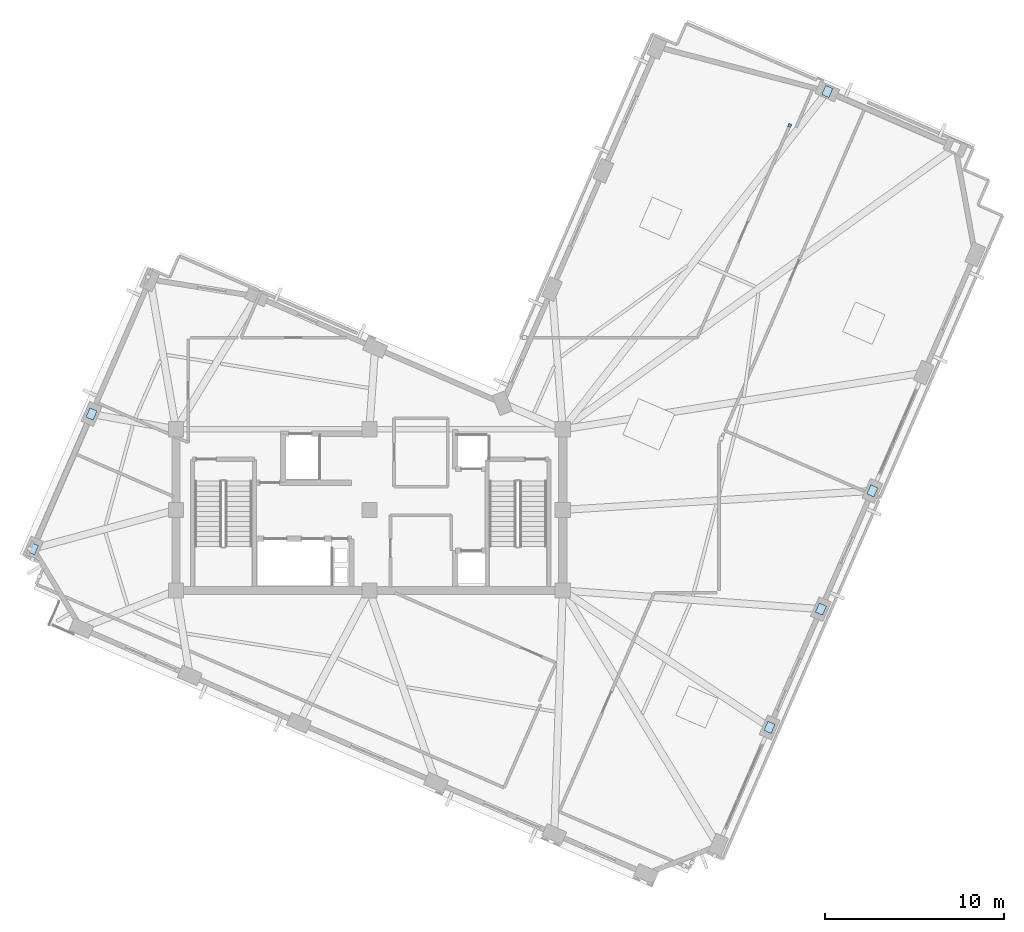
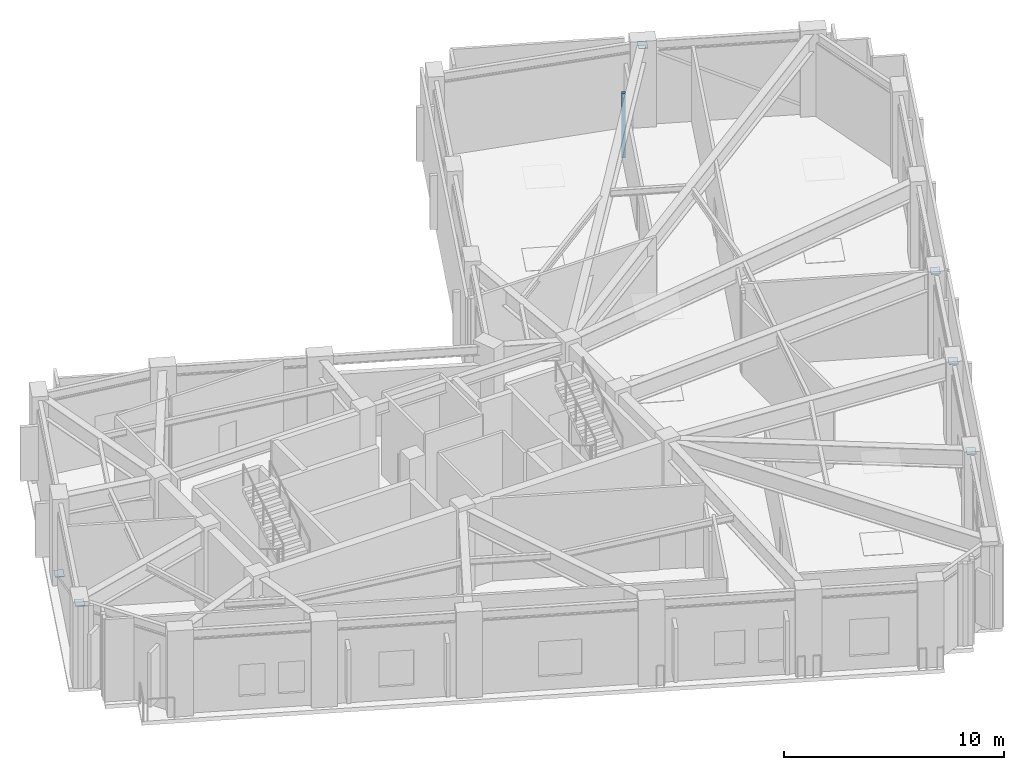
# One storey, part 4 of 11: 7 plates.
"""IFC4 building model written with IfcOpenShell, lengths in metres."""

from ifc_helpers import new_model, si_unit, direction, frame, origin, origin_2d, place, context, subcontext, project, spatial, rectangle, extrude, material, layer, layer_set, type_object, element, save


model = new_model("IFC4")

# Units and contexts
model_context = context("Model", 3, precision=1e-05, world=origin(), true_north=direction((0.0, 1.0)))
body_context = subcontext(model_context, "Body", "Model", "MODEL_VIEW")
ifc_project = project(units=[si_unit("LENGTHUNIT", "METRE"), si_unit("AREAUNIT", "SQUARE_METRE"), si_unit("VOLUMEUNIT", "CUBIC_METRE"), si_unit("PLANEANGLEUNIT", "RADIAN"), si_unit("MASSUNIT", "GRAM", prefix="KILO")], contexts=[model_context])

# Site, building, storey
site_placement = place(None, origin())
site = spatial("IfcSite", under=ifc_project, at=site_placement, CompositionType="ELEMENT")
building_placement = place(site_placement, origin())
building = spatial("IfcBuilding", under=site, at=building_placement, Name="Gaonmaruhae Medical Tower", CompositionType="ELEMENT")
storey_placement = place(building_placement, frame((0.0, 0.0, 328.60009765625)))
storey = spatial("IfcBuildingStorey", under=building, at=storey_placement, Name="L79", CompositionType="ELEMENT", Elevation=328.60009765625)

# Plates
ifc_material_1 = material(Name="Steel HSA650 (650 MPa)", Category="steel")
ifc_layer_1 = layer(ifc_material_1, 0.028076171875)
ifc_layer_set_1 = layer_set([ifc_layer_1], Name="Steel HSA650 (650 MPa)")
plate_type_1 = type_object("IfcPlateType", Name="GP-02 Tube Brace End Cap Gusset Plate", PredefinedType="USERDEFINED", material=ifc_layer_set_1)
for number, where, z_axis, x_axis, name in (
    (1, (50.372802734375, 35.662841796875, 4.31591796875), (0.0, 0.0, 1.0), (0.398749068925, 0.917060074385, 0.0), "L79 Gusset Cap Plate PLT-L79-PBR-E01B"),
    (2, (9.283447265625, 17.653564453125, 0.23583984375), (0.0, 0.0, 1.0), (0.398749068925, 0.917060074385, 0.0), "L79 Gusset Cap Plate PLT-L79-PBR-N02A"),
    (3, (6.013671875, 10.133544921875, 4.31591796875), (0.0, 0.0, 1.0), (0.398749068925, 0.917060074385, 0.0), "L79 Gusset Cap Plate PLT-L79-PBR-N02B"),
    (4, (47.14599609375, 0.154296875, 4.41064453125), (0.0, 0.0, 1.0), (0.398749068925, 0.917060074385, 0.0), "L79 Gusset Cap Plate PLT-L79-SGPR1A"),
    (5, (50.01708984375, 6.75732421875, 4.41064453125), (0.0, 0.0, 1.0), (0.398749068925, 0.917060074385, 0.0), "L79 Gusset Cap Plate PLT-L79-SGPR1B"),
    (6, (52.88818359375, 13.360107421875, 4.41064453125), (0.0, 0.0, 1.0), (0.398749068925, 0.917060074385, 0.0), "L79 Gusset Cap Plate PLT-L79-SGPR2B"),
):
    element("IfcPlate", number, at=place(storey_placement, frame(where, z_axis=z_axis, x_axis=x_axis)), inside=storey, type_object=plate_type_1, Name=name, ObjectType="GUSSET_PLATE", PredefinedType="USERDEFINED", context=body_context, shape_type="SweptSolid", body=[
        extrude(rectangle(XDim=0.56005859375, YDim=0.43994140625, at=origin_2d()), origin(), (0.0, 0.0, 1.0), 0.028076171875),
    ])
ifc_material_2 = material(Name="Anodised aluminium 6063-T6", Category="aluminium")
ifc_layer_2 = layer(ifc_material_2, 0.011962890625)
ifc_layer_set_2 = layer_set([ifc_layer_2], Name="Anodised aluminium 6063-T6")
plate_type_2 = type_object("IfcPlateType", Name="PP-01 Interior Partition Corner Stiffener Plate", PredefinedType="SHEET", material=ifc_layer_set_2)
plate_placement = place(storey_placement, frame((48.27490234375, 33.7724609375, 0.0), z_axis=(0.0, 0.0, 1.0), x_axis=(-0.398765074582, -0.917053114761, 0.0)))
element("IfcPlate", 7, at=plate_placement, inside=storey, type_object=plate_type_2, Name="L79 Partition End Jamb Post Plate PLT-L79-ENDP-PW025-0", PredefinedType="SHEET", context=body_context, shape_type="SweptSolid", body=[
    extrude(rectangle(XDim=0.179931640625, YDim=0.179931640625, at=origin_2d()), origin(), (0.0, 0.0, 1.0), 3.56494140625),
])

save(model, "model.ifc")
